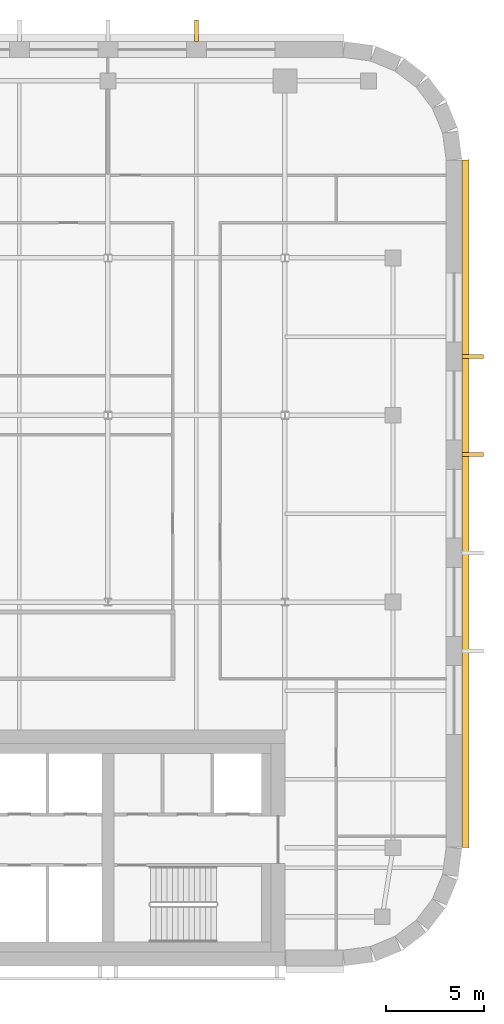
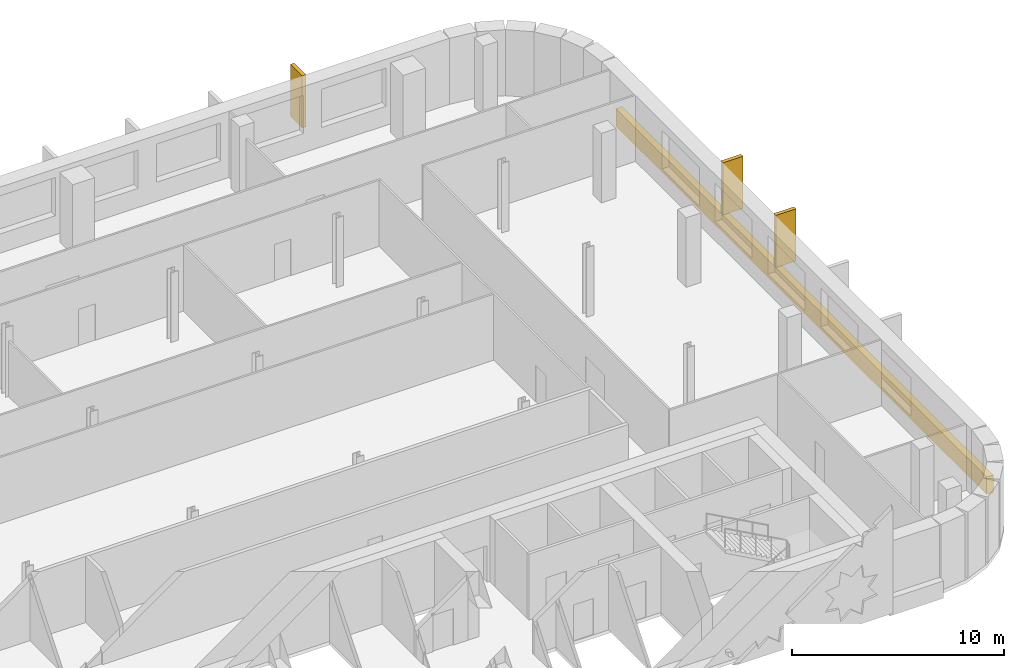
# One storey, part 18 of 18: 4 coverings.
"""IFC4 building model written with IfcOpenShell, lengths in metres."""

from ifc_helpers import new_model, si_unit, direction, frame, origin, place, context, subcontext, project, spatial, polyline, outline, extrude, material, layer, layer_set, type_object, element, save


model = new_model("IFC4")

# Units and contexts
model_context = context("Model", 3, precision=1e-05, world=origin(), true_north=direction((0.0, 1.0)))
body_context = subcontext(model_context, "Body", "Model", "MODEL_VIEW")
ifc_project = project(units=[si_unit("LENGTHUNIT", "METRE"), si_unit("AREAUNIT", "SQUARE_METRE"), si_unit("VOLUMEUNIT", "CUBIC_METRE"), si_unit("PLANEANGLEUNIT", "RADIAN"), si_unit("MASSUNIT", "GRAM", prefix="KILO")], contexts=[model_context])

# Site, building, storey
site_placement = place(None, origin())
site = spatial("IfcSite", under=ifc_project, at=site_placement, CompositionType="ELEMENT")
building_placement = place(site_placement, origin())
building = spatial("IfcBuilding", under=site, at=building_placement, Name="Zellij Exchange Tower", CompositionType="ELEMENT")
storey_placement = place(building_placement, frame((0.0, 0.0, 240.5)))
storey = spatial("IfcBuildingStorey", under=building, at=storey_placement, Name="L56", CompositionType="ELEMENT", Elevation=240.5)

# Coverings
ifc_material = material(Name="Limestone cladding", Category="masonry")
ifc_layer = layer(ifc_material, 0.35009765625)
ifc_layer_set = layer_set([ifc_layer], Name="Limestone cladding")
covering_type_1 = type_object("IfcCoveringType", Name="ENV-CV10 Stone spandrel band 350", PredefinedType="CLADDING", material=ifc_layer_set)
covering_1_placement = place(storey_placement, frame((0.0, 0.0, -0.199951171875)))
element("IfcCovering", 1, at=covering_1_placement, inside=storey, type_object=covering_type_1, Name="Stone spandrel band", PredefinedType="CLADDING", context=body_context, shape_type="SweptSolid", body=[
    extrude(outline(polyline([(36.0, -7.973876953125), (36.0, 26.973876953125), (36.35009765625, 26.99658203125), (36.35009765625, -7.99658203125), (36.0, -7.973876953125)])), origin(), (0.0, 0.0, 1.0), 1.0),
])
covering_type_2 = type_object("IfcCoveringType", Name="ENV-CV6 Stone pier 200x1100", PredefinedType="CLADDING", material=ifc_material)
covering_2_placement = place(storey_placement, frame((0.0, 0.0, 0.800048828125)))
element("IfcCovering", 2, at=covering_2_placement, inside=storey, type_object=covering_type_2, Name="Stone pier", PredefinedType="CLADDING", context=body_context, shape_type="SweptSolid", body=[
    extrude(outline(polyline([(36.0, 11.896240234375), (36.0, 12.09619140625), (37.10009765625, 12.09619140625), (37.10009765625, 11.896240234375), (36.0, 11.896240234375)])), origin(), (0.0, 0.0, 1.0), 3.0),
])
covering_3_placement = place(storey_placement, frame((0.0, 0.0, 0.800048828125)))
element("IfcCovering", 3, at=covering_3_placement, inside=storey, type_object=covering_type_2, Name="Stone pier", PredefinedType="CLADDING", context=body_context, shape_type="SweptSolid", body=[
    extrude(outline(polyline([(36.0, 16.888916015625), (36.0, 17.0888671875), (37.10009765625, 17.0888671875), (37.10009765625, 16.888916015625), (36.0, 16.888916015625)])), origin(), (0.0, 0.0, 1.0), 3.0),
])
covering_4_placement = place(storey_placement, frame((0.0, 0.0, 0.800048828125)))
element("IfcCovering", 4, at=covering_4_placement, inside=storey, type_object=covering_type_2, Name="Stone pier", PredefinedType="CLADDING", context=body_context, shape_type="SweptSolid", body=[
    extrude(outline(polyline([(22.60009765625, 33.0), (22.39990234375, 33.0), (22.39990234375, 34.10009765625), (22.60009765625, 34.10009765625), (22.60009765625, 33.0)])), origin(), (0.0, 0.0, 1.0), 3.0),
])

save(model, "model.ifc")
